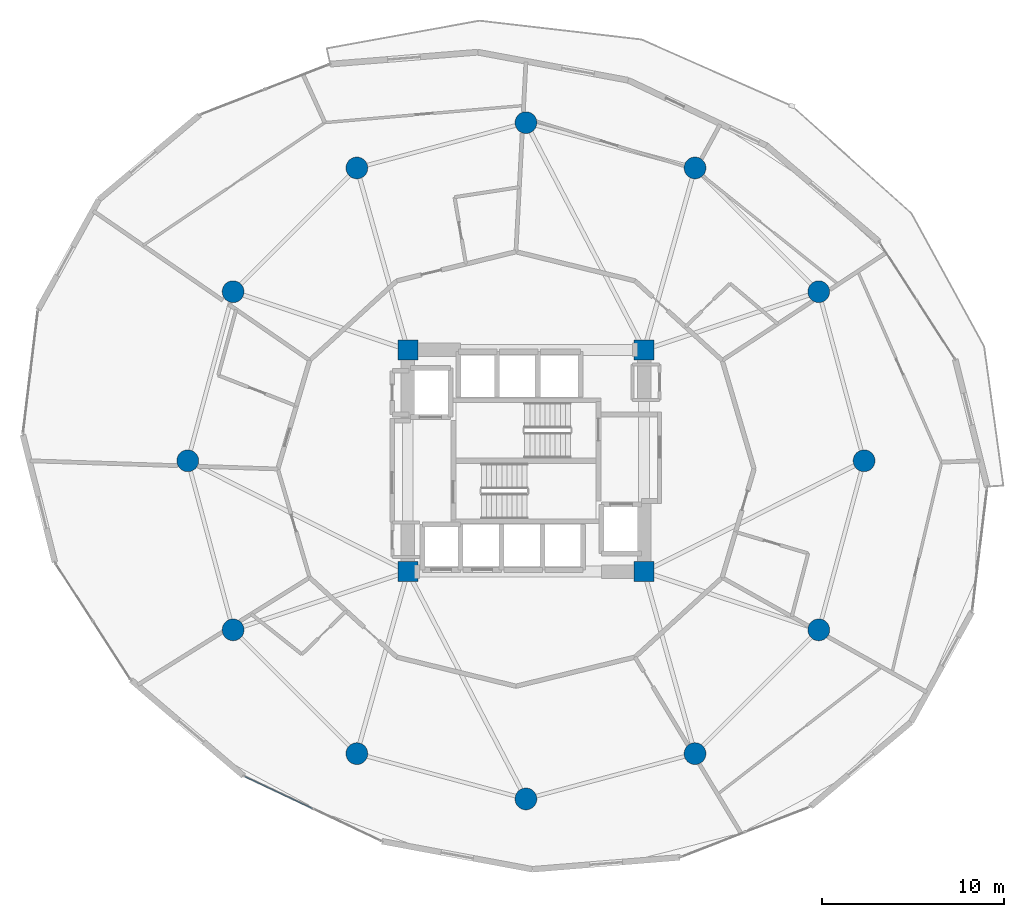
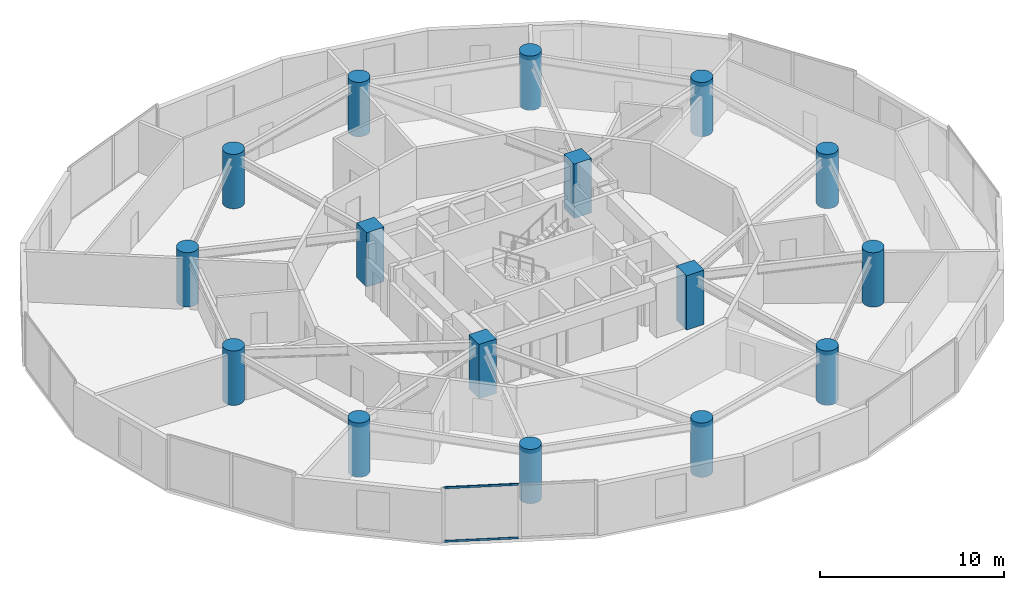
# One storey, part 1 of 26: 16 columns, 2 members, 1 element without a shape of its own.
"""IFC4 building model written with IfcOpenShell, lengths in metres."""

import ifcopenshell
import ifcopenshell.guid

model = None  # the IFC model being written
_history = None  # IfcOwnerHistory: only IFC2X3 demands one
_inside = {}  # id of a spatial element -> (the spatial element, [elements in it])
_under = {}  # id of a project, library or spatial element -> (it, [spatial elements below it])
_declared = {}  # id of a project -> (the project, [libraries it declares])
_typed = {}  # id of a type object -> (the type object, [elements of that type])
_made_of = {}  # id of a material, layer set ... -> (it, [elements and type objects made of it])


def new_model(schema):
    """Start an empty IFC model of exactly this schema.

    Asked for "IFC4X3", IfcOpenShell would pick the latest addendum, in which some entities
    have other attributes; the version numbers below select the first issue.
    IFC2X3 requires an IfcOwnerHistory on every rooted entity: one is made here for all.
    """
    global model, _history
    if schema == "IFC4X3":
        model = ifcopenshell.file(schema_version=(4, 3, 0, 0))
    else:
        model = ifcopenshell.file(schema=schema)
    _inside.clear()
    _under.clear()
    _declared.clear()
    _typed.clear()
    _made_of.clear()
    _history = None
    if model.schema == "IFC2X3":
        org = make("IfcOrganization", Name="unknown")
        user = make(
            "IfcPersonAndOrganization",
            ThePerson=make("IfcPerson", FamilyName="unknown"),
            TheOrganization=org,
        )
        app = make(
            "IfcApplication",
            ApplicationDeveloper=org,
            Version="unknown",
            ApplicationFullName="unknown",
            ApplicationIdentifier="unknown",
        )
        _history = make(
            "IfcOwnerHistory",
            OwningUser=user,
            OwningApplication=app,
            ChangeAction="ADDED",
            CreationDate=0,
        )
    return model


def make(cls, **values):
    """One entity of the class cls with the attributes given. An attribute that is None is left unset."""
    return model.create_entity(
        cls, **{name: value for name, value in values.items() if value is not None}
    )


def rooted(cls, **values):
    """An entity with a GlobalId (a new one), such as an element, a storey or a relation."""
    return make(cls, GlobalId=ifcopenshell.guid.new(), OwnerHistory=_history, **values)


def si_unit(unit_type, name, prefix=None):
    """IfcSIUnit, for example si_unit("LENGTHUNIT", "METRE", prefix="MILLI")."""
    return make("IfcSIUnit", UnitType=unit_type, Prefix=prefix, Name=name)


def assignment(units):
    """IfcUnitAssignment: the units of a project."""
    return None if units is None else make("IfcUnitAssignment", Units=units)


def point(xyz):
    """IfcCartesianPoint."""
    return None if xyz is None else make("IfcCartesianPoint", Coordinates=xyz)


def direction(xyz):
    """IfcDirection."""
    return None if xyz is None else make("IfcDirection", DirectionRatios=xyz)


def frame(location, z_axis=None, x_axis=None):
    """IfcAxis2Placement3D, a coordinate frame: its origin and axes. An axis left out is left unset."""
    return make(
        "IfcAxis2Placement3D",
        Location=point(location),
        Axis=direction(z_axis),
        RefDirection=direction(x_axis),
    )


def frame_2d(location, x_axis=None):
    """IfcAxis2Placement2D, a coordinate frame in the plane: its origin and x axis."""
    return make(
        "IfcAxis2Placement2D", Location=point(location), RefDirection=direction(x_axis)
    )


def origin():
    """The frame at (0, 0, 0) with its axes left unset."""
    return frame((0.0, 0.0, 0.0))


def origin_2d():
    """The frame at (0, 0) in the plane with its x axis left unset."""
    return frame_2d((0.0, 0.0))


def place(relative_to, where):
    """IfcLocalPlacement: puts the frame where relative to a parent placement (None: the world)."""
    return make(
        "IfcLocalPlacement", PlacementRelTo=relative_to, RelativePlacement=where
    )


def context(
    kind, dimensions, precision=None, world=None, true_north=None, identifier=None
):
    """IfcGeometricRepresentationContext, for example the 3D "Model" context."""
    return make(
        "IfcGeometricRepresentationContext",
        ContextIdentifier=identifier,
        ContextType=kind,
        CoordinateSpaceDimension=dimensions,
        Precision=precision,
        WorldCoordinateSystem=world,
        TrueNorth=true_north,
    )


def subcontext(parent, identifier, kind, view, scale=None):
    """IfcGeometricRepresentationSubContext, for example "Body" below "Model"."""
    return make(
        "IfcGeometricRepresentationSubContext",
        ContextIdentifier=identifier,
        ContextType=kind,
        ParentContext=parent,
        TargetScale=scale,
        TargetView=view,
    )


def project(units=None, contexts=None):
    """IfcProject with its units and contexts."""
    return rooted(
        "IfcProject",
        Name="project",
        RepresentationContexts=contexts,
        UnitsInContext=assignment(units),
    )


def spatial(cls, under=None, at=None, **own):
    """A site, building, storey or space (cls), placed at a placement, below another one or the project."""
    s = rooted(cls, ObjectPlacement=at, **own)
    if under is not None:
        _under.setdefault(under.id(), (under, []))[1].append(s)
    return s


def profile(cls, at=None, kind="AREA", **sizes):
    """A parametric profile (cls). Its sizes go by their IFC names, for example OverallWidth=200.0."""
    return make(cls, ProfileType=kind, Position=at, **sizes)


def rectangle(**sizes):
    """IfcRectangleProfileDef."""
    return profile("IfcRectangleProfileDef", **sizes)


def hollow_rectangle(**sizes):
    """IfcRectangleHollowProfileDef."""
    return profile("IfcRectangleHollowProfileDef", **sizes)


def circle(**sizes):
    """IfcCircleProfileDef."""
    return profile("IfcCircleProfileDef", **sizes)


def extrude(swept, where, along, depth):
    """IfcExtrudedAreaSolid: the profile swept, set in the frame where, extruded along a direction by depth."""
    return make(
        "IfcExtrudedAreaSolid",
        SweptArea=swept,
        Position=where,
        ExtrudedDirection=direction(along),
        Depth=depth,
    )


def shape(context_of_items, identifier, shape_type, items):
    """IfcShapeRepresentation: the items that make up one representation, for example the "Body"."""
    return make(
        "IfcShapeRepresentation",
        ContextOfItems=context_of_items,
        RepresentationIdentifier=identifier,
        RepresentationType=shape_type,
        Items=items,
    )


def source(mapping_origin, context_of_items, identifier, shape_type, items):
    """IfcRepresentationMap: a shape defined once, which mapped items show again and again."""
    return make(
        "IfcRepresentationMap",
        MappingOrigin=mapping_origin,
        MappedRepresentation=shape(context_of_items, identifier, shape_type, items),
    )


def transform(
    local_origin,
    x_axis=None,
    y_axis=None,
    z_axis=None,
    scale=None,
    scale2=None,
    scale3=None,
    uniform=True,
):
    """IfcCartesianTransformationOperator3D, or its non-uniform kind. x_axis, y_axis, z_axis: its Axis1, 2, 3."""
    if uniform:
        return make(
            "IfcCartesianTransformationOperator3D",
            Axis1=direction(x_axis),
            Axis2=direction(y_axis),
            LocalOrigin=point(local_origin),
            Scale=scale,
            Axis3=direction(z_axis),
        )
    return make(
        "IfcCartesianTransformationOperator3DnonUniform",
        Axis1=direction(x_axis),
        Axis2=direction(y_axis),
        LocalOrigin=point(local_origin),
        Scale=scale,
        Axis3=direction(z_axis),
        Scale2=scale2,
        Scale3=scale3,
    )


def mapped(mapping_source, mapping_target):
    """IfcMappedItem: shows the shape of a source again, moved by a transform."""
    return make(
        "IfcMappedItem", MappingSource=mapping_source, MappingTarget=mapping_target
    )


def material(Name=None, Category=None):
    """IfcMaterial."""
    return make("IfcMaterial", Name=Name, Category=Category)


def layer(
    of_material, thickness, ventilated=None, Name=None, Category=None, Priority=None
):
    """IfcMaterialLayer: one layer of a wall or slab, of a material (None: an air gap)."""
    return make(
        "IfcMaterialLayer",
        Material=of_material,
        LayerThickness=thickness,
        IsVentilated=ventilated,
        Name=Name,
        Category=Category,
        Priority=Priority,
    )


def layer_set(layers, Name=None):
    """IfcMaterialLayerSet."""
    return make("IfcMaterialLayerSet", MaterialLayers=layers, LayerSetName=Name)


def material_profile(
    of_material, cross_section, Name=None, Category=None, Priority=None
):
    """IfcMaterialProfile: a cross section and its material."""
    return make(
        "IfcMaterialProfile",
        Name=Name,
        Material=of_material,
        Profile=cross_section,
        Priority=Priority,
        Category=Category,
    )


def profile_set(profiles, Name=None, composite=None):
    """IfcMaterialProfileSet."""
    return make(
        "IfcMaterialProfileSet",
        Name=Name,
        MaterialProfiles=profiles,
        CompositeProfile=composite,
    )


def made_of(thing, what):
    """Note that an element or type object is made of a material, layer set ...; save() writes the relation."""
    if what is not None:
        _made_of.setdefault(what.id(), (what, []))[1].append(thing)
    return thing


def type_object(cls, material=None, **own):
    """A type object (cls), such as IfcWallType, which elements share."""
    return made_of(rooted(cls, **own), material)


def element(
    cls,
    number,
    at=None,
    inside=None,
    cuts=None,
    type_object=None,
    material=None,
    context=None,
    identifier="Body",
    shape_type=None,
    held_by="IfcProductDefinitionShape",
    body=None,
    shapes=None,
    **own,
):
    """One element of the class cls, such as IfcWall. Its Tag is "e" and its number.

    at: its placement. inside: the storey or other place that contains it. cuts: it is an
    opening in that element (IfcRelVoidsElement). A single representation is given by context,
    identifier, shape_type and body (its items); several are given by shapes. held_by: the class
    of the entity that holds the representations. save() writes the other relations.
    """
    e = rooted(cls, Tag="e%d" % number, ObjectPlacement=at, **own)
    if body is not None:
        shapes = [shape(context, identifier, shape_type, body)]
    if shapes is not None:
        e.Representation = make(held_by, Representations=shapes)
    if inside is not None:
        _inside.setdefault(inside.id(), (inside, []))[1].append(e)
    if cuts is not None:
        rooted(
            "IfcRelVoidsElement", RelatingBuildingElement=cuts, RelatedOpeningElement=e
        )
    if type_object is not None:
        _typed.setdefault(type_object.id(), (type_object, []))[1].append(e)
    return made_of(e, material)


def aggregate(whole, parts):
    """IfcRelAggregates: a whole, such as a stair, and the parts it consists of."""
    return rooted("IfcRelAggregates", RelatingObject=whole, RelatedObjects=parts)


def save(model, path):
    """Write the relations noted so far, then the file.

    IfcRelAggregates (storeys below a building ...), IfcRelContainedInSpatialStructure (elements
    in a storey), IfcRelDefinesByType, IfcRelAssociatesMaterial and IfcRelDeclares: one each for
    every whole, place, type object, material and project.
    """
    for whole, parts in _under.values():
        aggregate(whole, parts)
    for where, things in _inside.values():
        rooted(
            "IfcRelContainedInSpatialStructure",
            RelatedElements=things,
            RelatingStructure=where,
        )
    for kind, things in _typed.values():
        rooted("IfcRelDefinesByType", RelatedObjects=things, RelatingType=kind)
    for what, things in _made_of.values():
        rooted("IfcRelAssociatesMaterial", RelatedObjects=things, RelatingMaterial=what)
    for by, libraries in _declared.values():
        rooted("IfcRelDeclares", RelatingContext=by, RelatedDefinitions=libraries)
    model.write(path)


model = new_model("IFC4")

# Units and contexts
model_context = context("Model", 3, precision=1e-05, world=origin(), true_north=direction((0.0, 1.0)))
body_context = subcontext(model_context, "Body", "Model", "MODEL_VIEW")
ifc_project = project(units=[si_unit("LENGTHUNIT", "METRE"), si_unit("AREAUNIT", "SQUARE_METRE"), si_unit("VOLUMEUNIT", "CUBIC_METRE"), si_unit("PLANEANGLEUNIT", "RADIAN"), si_unit("MASSUNIT", "GRAM", prefix="KILO")], contexts=[model_context])

# Site, building, storey
site_placement = place(None, origin())
site = spatial("IfcSite", under=ifc_project, at=site_placement, CompositionType="ELEMENT")
building_placement = place(site_placement, origin())
building = spatial("IfcBuilding", under=site, at=building_placement, Name="Solvirekh Grand Hotel", CompositionType="ELEMENT")
storey_placement = place(building_placement, frame((0.0, 0.0, 68.0)))
storey = spatial("IfcBuildingStorey", under=building, at=storey_placement, Name="L16", CompositionType="ELEMENT", Elevation=68.0)

# Columns
ifc_material_1 = material(Name="Concrete C60/75", Category="concrete")
ifc_material_profile_1 = material_profile(ifc_material_1, rectangle(XDim=1.10009765625, YDim=1.10009765625, at=origin_2d()), Name="RC 1100X1100")
ifc_profile_set_1 = profile_set([ifc_material_profile_1], Name="Concrete C60/75")
column_type_1 = type_object("IfcColumnType", Name="Col_Core_1100", PredefinedType="COLUMN", material=ifc_profile_set_1)
for number, where, z_axis, x_axis, name in (
    (1, (-6.5, -6.10009765625, 0.0), (0.0, 0.0, 1.0), (1.0, 0.0, 0.0), "L16 core corner column CC1"),
    (2, (6.5, -6.10009765625, 0.0), (0.0, 0.0, 1.0), (1.0, 0.0, 0.0), "L16 core corner column CC2"),
    (3, (6.5, 6.10009765625, 0.0), (0.0, 0.0, 1.0), (1.0, 0.0, 0.0), "L16 core corner column CC3"),
    (4, (-6.5, 6.10009765625, 0.0), (0.0, 0.0, 1.0), (1.0, 0.0, 0.0), "L16 core corner column CC4"),
):
    element("IfcColumn", number, at=place(storey_placement, frame(where, z_axis=z_axis, x_axis=x_axis)), inside=storey, type_object=column_type_1, Name=name, PredefinedType="COLUMN", context=body_context, shape_type="SweptSolid", body=[
        extrude(rectangle(XDim=1.10009765625, YDim=1.10009765625, at=origin_2d()), origin(), (0.0, 0.0, 1.0), 3.60009765625),
    ])
ifc_material_profile_2 = material_profile(ifc_material_1, circle(Radius=0.60009765625, at=origin_2d()), Name="RC CIRC D1200")
ifc_profile_set_2 = profile_set([ifc_material_profile_2], Name="Concrete C60/75")
column_type_2 = type_object("IfcColumnType", Name="Col_Z1_D1200", PredefinedType="COLUMN", material=ifc_profile_set_2)
for number, where, z_axis, x_axis, name in (
    (5, (18.60009765625, 0.0, 0.0), (0.0, 0.0, 1.0), (1.0, 0.0, 0.0), "L16 perimeter column P01"),
    (6, (16.10791015625, 9.300048828125, 0.0), (0.0, 0.0, 1.0), (1.0, 0.0, 0.0), "L16 perimeter column P02"),
    (7, (9.300048828125, 16.10791015625, 0.0), (0.0, 0.0, 1.0), (1.0, 0.0, 0.0), "L16 perimeter column P03"),
    (8, (0.0, 18.60009765625, 0.0), (0.0, 0.0, 1.0), (1.0, 0.0, 0.0), "L16 perimeter column P04"),
    (9, (-9.300048828125, 16.10791015625, 0.0), (0.0, 0.0, 1.0), (1.0, 0.0, 0.0), "L16 perimeter column P05"),
    (10, (-16.10791015625, 9.300048828125, 0.0), (0.0, 0.0, 1.0), (1.0, 0.0, 0.0), "L16 perimeter column P06"),
    (11, (-18.60009765625, 0.0, 0.0), (0.0, 0.0, 1.0), (1.0, 0.0, 0.0), "L16 perimeter column P07"),
    (12, (-16.10791015625, -9.300048828125, 0.0), (0.0, 0.0, 1.0), (1.0, 0.0, 0.0), "L16 perimeter column P08"),
    (13, (-9.300048828125, -16.10791015625, 0.0), (0.0, 0.0, 1.0), (1.0, 0.0, 0.0), "L16 perimeter column P09"),
    (14, (0.0, -18.60009765625, 0.0), (0.0, 0.0, 1.0), (1.0, 0.0, 0.0), "L16 perimeter column P10"),
    (15, (9.300048828125, -16.10791015625, 0.0), (0.0, 0.0, 1.0), (1.0, 0.0, 0.0), "L16 perimeter column P11"),
    (16, (16.10791015625, -9.300048828125, 0.0), (0.0, 0.0, 1.0), (1.0, 0.0, 0.0), "L16 perimeter column P12"),
):
    element("IfcColumn", number, at=place(storey_placement, frame(where, z_axis=z_axis, x_axis=x_axis)), inside=storey, type_object=column_type_2, Name=name, PredefinedType="COLUMN", context=body_context, shape_type="SweptSolid", body=[
        extrude(circle(Radius=0.60009765625, at=origin_2d()), origin(), (0.0, 0.0, 1.0), 3.60009765625),
    ])

# Curtain wall, members
ifc_material_2 = material(Name="Anodized Bronze Aluminium 6063-T6", Category="aluminium")
ifc_layer = layer(ifc_material_2, 0.18994140625)
ifc_layer_set = layer_set([ifc_layer], Name="Anodized Bronze Aluminium 6063-T6")
curtain_wall_type = type_object("IfcCurtainWallType", Name="CW_Sys2_LowZoneFlushBronzeCW", PredefinedType="NOTDEFINED", material=ifc_layer_set)
curtain_wall_placement = place(storey_placement, origin())
curtain_wall = element("IfcCurtainWall", 17, at=curtain_wall_placement, inside=storey, type_object=curtain_wall_type, Name="L16 unitised bronze-glass curtain wall CW-L16-C15", PredefinedType="NOTDEFINED")
ifc_material_profile_3 = material_profile(ifc_material_2, hollow_rectangle(XDim=0.06005859375, YDim=0.135009765625, WallThickness=0.00390625, at=origin_2d()), Name="ALU RHS 135X60X4")
ifc_profile_set_3 = profile_set([ifc_material_profile_3], Name="Anodized Bronze Aluminium 6063-T6")
member_type = type_object("IfcMemberType", Name="CWTransom_Sys2", PredefinedType="USERDEFINED", material=ifc_profile_set_3)
shared_shape = source(origin(), body_context, "Body", "SweptSolid", [
    extrude(hollow_rectangle(XDim=0.06005859375, YDim=0.135009765625, WallThickness=0.00390625, at=origin_2d()), origin(), (0.0, 0.0, 1.0), 4.1015625),
])
member_1_placement = place(storey_placement, frame((-15.463623046875, -17.370849609375, 0.030029296875), z_axis=(0.904271628404, -0.426957634975, 0.0), x_axis=(0.426957634975, 0.904271628404, 0.0)))
member_1 = element("IfcMember", 18, at=member_1_placement, type_object=member_type, Name="U02 transom 1.1", ObjectType="TRANSOM", PredefinedType="USERDEFINED", context=body_context, shape_type="MappedRepresentation", body=[
    mapped(shared_shape, transform((0.0, 0.0, 0.0), x_axis=(1.0, 0.0, 0.0), y_axis=(0.0, 1.0, 0.0), z_axis=(0.0, 0.0, 1.0), scale=1.0)),
])
member_2_placement = place(storey_placement, frame((-15.463623046875, -17.370849609375, 3.570068359375), z_axis=(0.904271628404, -0.426957634975, 0.0), x_axis=(0.426957634975, 0.904271628404, 0.0)))
member_2 = element("IfcMember", 19, at=member_2_placement, type_object=member_type, Name="U02 transom 1.2", ObjectType="TRANSOM", PredefinedType="USERDEFINED", context=body_context, shape_type="MappedRepresentation", body=[
    mapped(shared_shape, transform((0.0, 0.0, 0.0), x_axis=(1.0, 0.0, 0.0), y_axis=(0.0, 1.0, 0.0), z_axis=(0.0, 0.0, 1.0), scale=1.0)),
])
aggregate(curtain_wall, [member_1, member_2])

save(model, "model.ifc")
